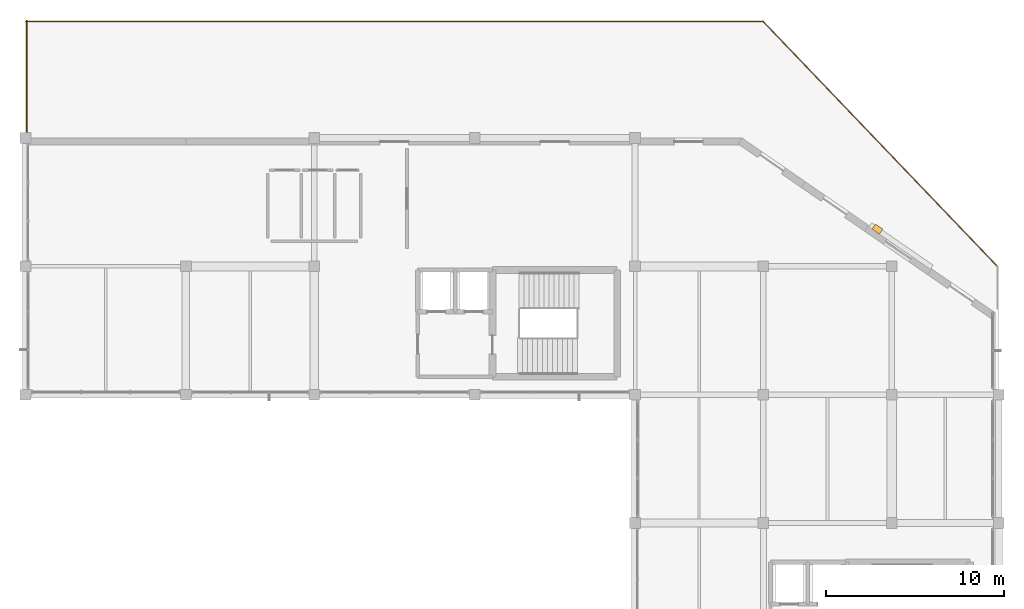
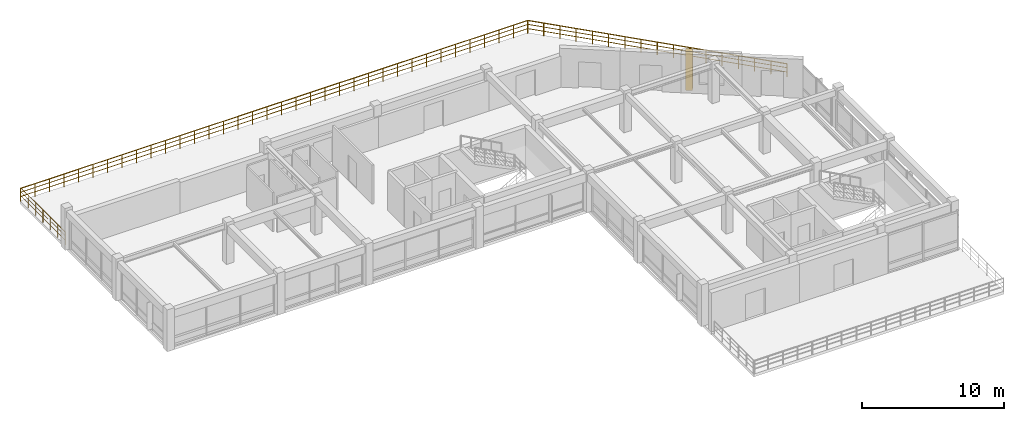
# One storey, part 12 of 12: 3 railings, 1 covering.
"""IFC4 building model written with IfcOpenShell, lengths in metres."""

from ifc_helpers import new_model, si_unit, direction, frame, frame_2d, origin, origin_2d, place, context, subcontext, project, spatial, rectangle, circle, extrude, material, layer, layer_set, type_object, element, save


model = new_model("IFC4")

# Units and contexts
model_context = context("Model", 3, precision=1e-05, world=origin(), true_north=direction((0.0, 1.0)))
body_context = subcontext(model_context, "Body", "Model", "MODEL_VIEW")
ifc_project = project(units=[si_unit("LENGTHUNIT", "METRE"), si_unit("AREAUNIT", "SQUARE_METRE"), si_unit("VOLUMEUNIT", "CUBIC_METRE"), si_unit("PLANEANGLEUNIT", "RADIAN"), si_unit("MASSUNIT", "GRAM", prefix="KILO")], contexts=[model_context])

# Site, building, storey
site_placement = place(None, origin())
site = spatial("IfcSite", under=ifc_project, at=site_placement, CompositionType="ELEMENT")
building_placement = place(site_placement, origin())
building = spatial("IfcBuilding", under=site, at=building_placement, Name="Clarverna Civic Hall", CompositionType="ELEMENT")
storey_placement = place(building_placement, frame((0.0, 0.0, 24.0)))
storey = spatial("IfcBuildingStorey", under=building, at=storey_placement, Name="L06", CompositionType="ELEMENT", Elevation=24.0)

# Covering
ifc_material_1 = material(Name="Montjuic Buff Limestone Ashlar Cladding", Category="masonry")
ifc_layer = layer(ifc_material_1, 0.070068359375)
ifc_layer_set = layer_set([ifc_layer], Name="Montjuic Buff Limestone Ashlar Cladding")
covering_type = type_object("IfcCoveringType", Name="CV-CL2", PredefinedType="CLADDING", material=ifc_layer_set)
covering_placement = place(storey_placement, frame((160.992919921875, 104.431396484375, 0.0), z_axis=(0.0, 0.0, 1.0), x_axis=(0.823000197367, -0.568041085779, 0.0)))
element("IfcCovering", 1, at=covering_placement, inside=storey, type_object=covering_type, Name="CV-CL2-900", PredefinedType="CLADDING", context=body_context, shape_type="SweptSolid", body=[
    extrude(rectangle(XDim=0.499755859375, YDim=0.340087890625, at=frame_2d((0.25, 0.0))), origin(), (0.0, 0.0, 1.0), 3.360107421875),
])

# Railings
ifc_material_2 = material(Name="Anodised Bronze Architectural Balustrade")
railing_type = type_object("IfcRailingType", Name="GR-01", PredefinedType="BALUSTRADE", material=ifc_material_2)
railing_1_placement = place(storey_placement, frame((154.756591796875, 115.95849609375, 0.0)))
element("IfcRailing", 2, at=railing_1_placement, inside=storey, type_object=railing_type, Name="GR-01-041", PredefinedType="BALUSTRADE", context=body_context, shape_type="SweptSolid", body=[
    extrude(circle(Radius=0.02392578125, at=origin_2d()), frame((0.0, 0.0, 1.09619140625), z_axis=(0.691220033531, -0.722644355991, 0.0), x_axis=(0.722644355991, 0.691220033531, 0.0)), (0.0, 0.0, 1.0), 19.0966796875),
    extrude(circle(Radius=0.011962890625, at=origin_2d()), frame((0.0, 0.0, 0.39208984375), z_axis=(0.691220033531, -0.722644355991, 0.0), x_axis=(0.722644355991, 0.691220033531, 0.0)), (0.0, 0.0, 1.0), 19.0966796875),
    extrude(circle(Radius=0.011962890625, at=origin_2d()), frame((0.0, 0.0, 0.76171875), z_axis=(0.691220033531, -0.722644355991, 0.0), x_axis=(0.722644355991, 0.691220033531, 0.0)), (0.0, 0.0, 1.0), 19.0966796875),
    extrude(circle(Radius=0.02099609375, at=origin_2d()), origin(), (0.0, 0.0, 1.0), 1.072021484375),
    extrude(circle(Radius=0.02099609375, at=origin_2d()), frame((0.824951171875, -0.862548828125, 0.0)), (0.0, 0.0, 1.0), 1.072021484375),
    extrude(circle(Radius=0.02099609375, at=origin_2d()), frame((1.64990234375, -1.72509765625, 0.0)), (0.0, 0.0, 1.0), 1.072021484375),
    extrude(circle(Radius=0.02099609375, at=origin_2d()), frame((2.47509765625, -2.58740234375, 0.0)), (0.0, 0.0, 1.0), 1.072021484375),
    extrude(circle(Radius=0.02099609375, at=origin_2d()), frame((3.300048828125, -3.449951171875, 0.0)), (0.0, 0.0, 1.0), 1.072021484375),
    extrude(circle(Radius=0.02099609375, at=origin_2d()), frame((4.125, -4.3125, 0.0)), (0.0, 0.0, 1.0), 1.072021484375),
    extrude(circle(Radius=0.02099609375, at=origin_2d()), frame((4.949951171875, -5.175048828125, 0.0)), (0.0, 0.0, 1.0), 1.072021484375),
    extrude(circle(Radius=0.02099609375, at=origin_2d()), frame((5.77490234375, -6.03759765625, 0.0)), (0.0, 0.0, 1.0), 1.072021484375),
    extrude(circle(Radius=0.02099609375, at=origin_2d()), frame((6.60009765625, -6.89990234375, 0.0)), (0.0, 0.0, 1.0), 1.072021484375),
    extrude(circle(Radius=0.02099609375, at=origin_2d()), frame((7.425048828125, -7.762451171875, 0.0)), (0.0, 0.0, 1.0), 1.072021484375),
    extrude(circle(Radius=0.02099609375, at=origin_2d()), frame((8.25, -8.625, 0.0)), (0.0, 0.0, 1.0), 1.072021484375),
    extrude(circle(Radius=0.02099609375, at=origin_2d()), frame((9.074951171875, -9.487548828125, 0.0)), (0.0, 0.0, 1.0), 1.072021484375),
    extrude(circle(Radius=0.02099609375, at=origin_2d()), frame((9.89990234375, -10.35009765625, 0.0)), (0.0, 0.0, 1.0), 1.072021484375),
    extrude(circle(Radius=0.02099609375, at=origin_2d()), frame((10.724853515625, -11.212646484375, 0.0)), (0.0, 0.0, 1.0), 1.072021484375),
    extrude(circle(Radius=0.02099609375, at=origin_2d()), frame((11.550048828125, -12.074951171875, 0.0)), (0.0, 0.0, 1.0), 1.072021484375),
    extrude(circle(Radius=0.02099609375, at=origin_2d()), frame((12.375, -12.9375, 0.0)), (0.0, 0.0, 1.0), 1.072021484375),
    extrude(circle(Radius=0.02099609375, at=origin_2d()), frame((13.199951171875, -13.800048828125, 0.0)), (0.0, 0.0, 1.0), 1.072021484375),
])
railing_2_placement = place(storey_placement, frame((113.4599609375, 109.719970703125, 0.0)))
element("IfcRailing", 3, at=railing_2_placement, inside=storey, type_object=railing_type, Name="GR-01-046", PredefinedType="BALUSTRADE", context=body_context, shape_type="SweptSolid", body=[
    extrude(circle(Radius=0.02392578125, at=origin_2d()), frame((0.0, 0.0, 1.09619140625), z_axis=(0.0, 1.0, 0.0), x_axis=(-1.0, 0.0, 0.0)), (0.0, 0.0, 1.0), 6.280029296875),
    extrude(circle(Radius=0.011962890625, at=origin_2d()), frame((0.0, 0.0, 0.39208984375), z_axis=(0.0, 1.0, 0.0), x_axis=(-1.0, 0.0, 0.0)), (0.0, 0.0, 1.0), 6.280029296875),
    extrude(circle(Radius=0.011962890625, at=origin_2d()), frame((0.0, 0.0, 0.76171875), z_axis=(0.0, 1.0, 0.0), x_axis=(-1.0, 0.0, 0.0)), (0.0, 0.0, 1.0), 6.280029296875),
    extrude(circle(Radius=0.02099609375, at=origin_2d()), origin(), (0.0, 0.0, 1.0), 1.072021484375),
    extrude(circle(Radius=0.02099609375, at=origin_2d()), frame((0.0, 1.046630859375, 0.0)), (0.0, 0.0, 1.0), 1.072021484375),
    extrude(circle(Radius=0.02099609375, at=origin_2d()), frame((0.0, 2.09326171875, 0.0)), (0.0, 0.0, 1.0), 1.072021484375),
    extrude(circle(Radius=0.02099609375, at=origin_2d()), frame((0.0, 3.14013671875, 0.0)), (0.0, 0.0, 1.0), 1.072021484375),
    extrude(circle(Radius=0.02099609375, at=origin_2d()), frame((0.0, 4.186767578125, 0.0)), (0.0, 0.0, 1.0), 1.072021484375),
    extrude(circle(Radius=0.02099609375, at=origin_2d()), frame((0.0, 5.2333984375, 0.0)), (0.0, 0.0, 1.0), 1.072021484375),
    extrude(circle(Radius=0.02099609375, at=origin_2d()), frame((0.0, 6.280029296875, 0.0)), (0.0, 0.0, 1.0), 1.072021484375),
])
railing_3_placement = place(storey_placement, frame((113.39990234375, 115.93994140625, 0.0)))
element("IfcRailing", 4, at=railing_3_placement, inside=storey, type_object=railing_type, Name="GR-01-047", PredefinedType="BALUSTRADE", context=body_context, shape_type="SweptSolid", body=[
    extrude(circle(Radius=0.02392578125, at=origin_2d()), frame((0.0, 0.0, 1.09619140625), z_axis=(1.0, 0.0, 0.0), x_axis=(0.0, 1.0, 0.0)), (0.0, 0.0, 1.0), 41.400146484375),
    extrude(circle(Radius=0.011962890625, at=origin_2d()), frame((0.0, 0.0, 0.39208984375), z_axis=(1.0, 0.0, 0.0), x_axis=(0.0, 1.0, 0.0)), (0.0, 0.0, 1.0), 41.400146484375),
    extrude(circle(Radius=0.011962890625, at=origin_2d()), frame((0.0, 0.0, 0.76171875), z_axis=(1.0, 0.0, 0.0), x_axis=(0.0, 1.0, 0.0)), (0.0, 0.0, 1.0), 41.400146484375),
    extrude(circle(Radius=0.02099609375, at=origin_2d()), origin(), (0.0, 0.0, 1.0), 1.072021484375),
    extrude(circle(Radius=0.02099609375, at=origin_2d()), frame((1.182861328125, 0.0, 0.0)), (0.0, 0.0, 1.0), 1.072021484375),
    extrude(circle(Radius=0.02099609375, at=origin_2d()), frame((2.36572265625, 0.0, 0.0)), (0.0, 0.0, 1.0), 1.072021484375),
    extrude(circle(Radius=0.02099609375, at=origin_2d()), frame((3.548583984375, 0.0, 0.0)), (0.0, 0.0, 1.0), 1.072021484375),
    extrude(circle(Radius=0.02099609375, at=origin_2d()), frame((4.7314453125, 0.0, 0.0)), (0.0, 0.0, 1.0), 1.072021484375),
    extrude(circle(Radius=0.02099609375, at=origin_2d()), frame((5.914306640625, 0.0, 0.0)), (0.0, 0.0, 1.0), 1.072021484375),
    extrude(circle(Radius=0.02099609375, at=origin_2d()), frame((7.09716796875, 0.0, 0.0)), (0.0, 0.0, 1.0), 1.072021484375),
    extrude(circle(Radius=0.02099609375, at=origin_2d()), frame((8.280029296875, 0.0, 0.0)), (0.0, 0.0, 1.0), 1.072021484375),
    extrude(circle(Radius=0.02099609375, at=origin_2d()), frame((9.462890625, 0.0, 0.0)), (0.0, 0.0, 1.0), 1.072021484375),
    extrude(circle(Radius=0.02099609375, at=origin_2d()), frame((10.645751953125, 0.0, 0.0)), (0.0, 0.0, 1.0), 1.072021484375),
    extrude(circle(Radius=0.02099609375, at=origin_2d()), frame((11.82861328125, 0.0, 0.0)), (0.0, 0.0, 1.0), 1.072021484375),
    extrude(circle(Radius=0.02099609375, at=origin_2d()), frame((13.011474609375, 0.0, 0.0)), (0.0, 0.0, 1.0), 1.072021484375),
    extrude(circle(Radius=0.02099609375, at=origin_2d()), frame((14.1943359375, 0.0, 0.0)), (0.0, 0.0, 1.0), 1.072021484375),
    extrude(circle(Radius=0.02099609375, at=origin_2d()), frame((15.377197265625, 0.0, 0.0)), (0.0, 0.0, 1.0), 1.072021484375),
    extrude(circle(Radius=0.02099609375, at=origin_2d()), frame((16.56005859375, 0.0, 0.0)), (0.0, 0.0, 1.0), 1.072021484375),
    extrude(circle(Radius=0.02099609375, at=origin_2d()), frame((17.742919921875, 0.0, 0.0)), (0.0, 0.0, 1.0), 1.072021484375),
    extrude(circle(Radius=0.02099609375, at=origin_2d()), frame((18.92578125, 0.0, 0.0)), (0.0, 0.0, 1.0), 1.072021484375),
    extrude(circle(Radius=0.02099609375, at=origin_2d()), frame((20.108642578125, 0.0, 0.0)), (0.0, 0.0, 1.0), 1.072021484375),
    extrude(circle(Radius=0.02099609375, at=origin_2d()), frame((21.29150390625, 0.0, 0.0)), (0.0, 0.0, 1.0), 1.072021484375),
    extrude(circle(Radius=0.02099609375, at=origin_2d()), frame((22.474365234375, 0.0, 0.0)), (0.0, 0.0, 1.0), 1.072021484375),
    extrude(circle(Radius=0.02099609375, at=origin_2d()), frame((23.6572265625, 0.0, 0.0)), (0.0, 0.0, 1.0), 1.072021484375),
    extrude(circle(Radius=0.02099609375, at=origin_2d()), frame((24.840087890625, 0.0, 0.0)), (0.0, 0.0, 1.0), 1.072021484375),
    extrude(circle(Radius=0.02099609375, at=origin_2d()), frame((26.02294921875, 0.0, 0.0)), (0.0, 0.0, 1.0), 1.072021484375),
    extrude(circle(Radius=0.02099609375, at=origin_2d()), frame((27.205810546875, 0.0, 0.0)), (0.0, 0.0, 1.0), 1.072021484375),
    extrude(circle(Radius=0.02099609375, at=origin_2d()), frame((28.388671875, 0.0, 0.0)), (0.0, 0.0, 1.0), 1.072021484375),
    extrude(circle(Radius=0.02099609375, at=origin_2d()), frame((29.571533203125, 0.0, 0.0)), (0.0, 0.0, 1.0), 1.072021484375),
    extrude(circle(Radius=0.02099609375, at=origin_2d()), frame((30.75439453125, 0.0, 0.0)), (0.0, 0.0, 1.0), 1.072021484375),
    extrude(circle(Radius=0.02099609375, at=origin_2d()), frame((31.937255859375, 0.0, 0.0)), (0.0, 0.0, 1.0), 1.072021484375),
    extrude(circle(Radius=0.02099609375, at=origin_2d()), frame((33.1201171875, 0.0, 0.0)), (0.0, 0.0, 1.0), 1.072021484375),
    extrude(circle(Radius=0.02099609375, at=origin_2d()), frame((34.302978515625, 0.0, 0.0)), (0.0, 0.0, 1.0), 1.072021484375),
    extrude(circle(Radius=0.02099609375, at=origin_2d()), frame((35.48583984375, 0.0, 0.0)), (0.0, 0.0, 1.0), 1.072021484375),
    extrude(circle(Radius=0.02099609375, at=origin_2d()), frame((36.668701171875, 0.0, 0.0)), (0.0, 0.0, 1.0), 1.072021484375),
    extrude(circle(Radius=0.02099609375, at=origin_2d()), frame((37.8515625, 0.0, 0.0)), (0.0, 0.0, 1.0), 1.072021484375),
    extrude(circle(Radius=0.02099609375, at=origin_2d()), frame((39.034423828125, 0.0, 0.0)), (0.0, 0.0, 1.0), 1.072021484375),
    extrude(circle(Radius=0.02099609375, at=origin_2d()), frame((40.21728515625, 0.0, 0.0)), (0.0, 0.0, 1.0), 1.072021484375),
    extrude(circle(Radius=0.02099609375, at=origin_2d()), frame((41.400146484375, 0.0, 0.0)), (0.0, 0.0, 1.0), 1.072021484375),
])

save(model, "model.ifc")
